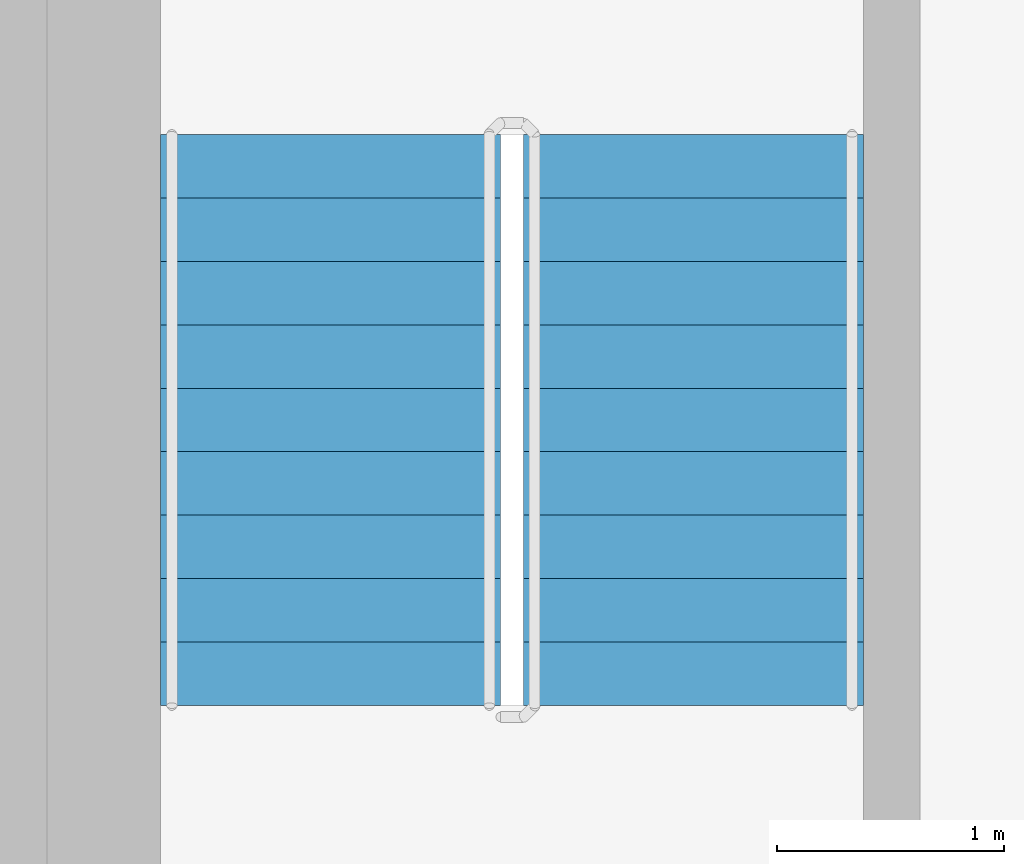
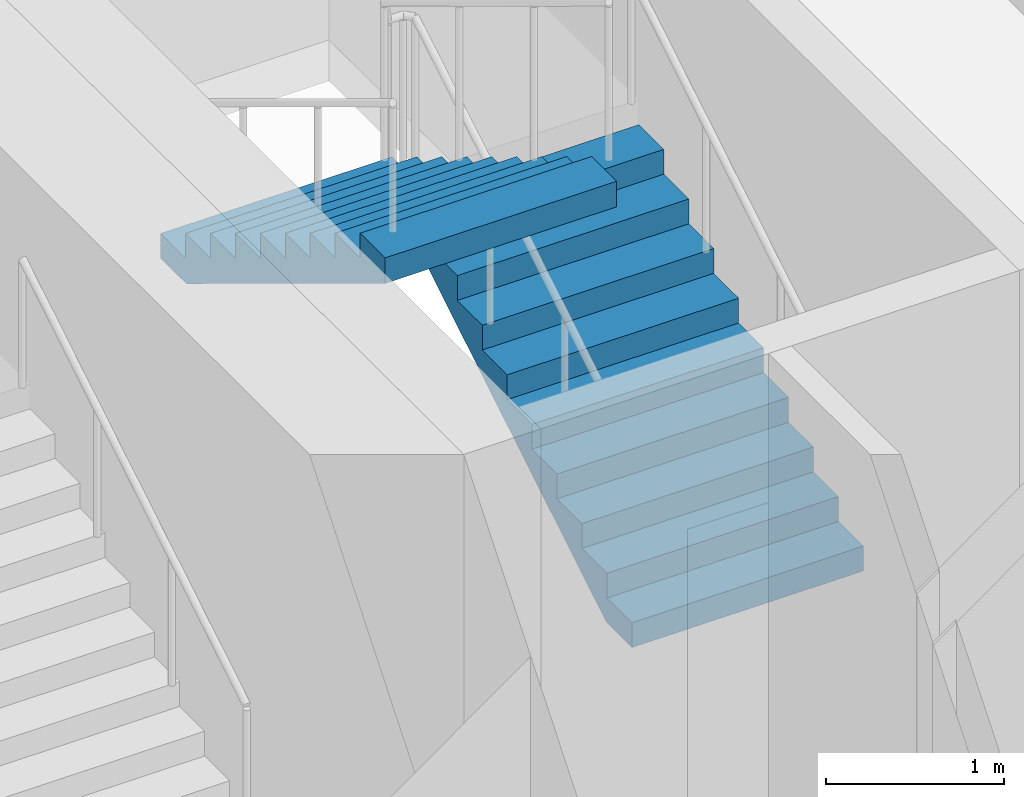
# One storey, part 13 of 21: 2 stair flights, 1 element without a shape of its own.
"""IFC4 building model written with IfcOpenShell, lengths in metres."""

from ifc_helpers import new_model, si_unit, direction, frame, origin, place, context, subcontext, project, spatial, triangles, source, transform, mapped, material, type_object, element, aggregate, save


model = new_model("IFC4")

# Units and contexts
model_context = context("Model", 3, precision=1e-05, world=origin(), true_north=direction((0.0, 1.0)))
body_context = subcontext(model_context, "Body", "Model", "MODEL_VIEW")
ifc_project = project(units=[si_unit("LENGTHUNIT", "METRE"), si_unit("AREAUNIT", "SQUARE_METRE"), si_unit("VOLUMEUNIT", "CUBIC_METRE"), si_unit("PLANEANGLEUNIT", "RADIAN"), si_unit("MASSUNIT", "GRAM", prefix="KILO")], contexts=[model_context])

# Site, building, storey
site_placement = place(None, origin())
site = spatial("IfcSite", under=ifc_project, at=site_placement, CompositionType="ELEMENT")
building_placement = place(site_placement, origin())
building = spatial("IfcBuilding", under=site, at=building_placement, Name="Kilnfold Tower and Market Hall", CompositionType="ELEMENT")
storey_placement = place(building_placement, frame((0.0, 0.0, 185.5)))
storey = spatial("IfcBuildingStorey", under=building, at=storey_placement, Name="L44", CompositionType="ELEMENT", Elevation=185.5)

# Stair, stair flights
ifc_material_1 = material(Name="Concrete C40/50", Category="concrete")
stair_type = type_object("IfcStairType", Name="CORE STAIR 1500", PredefinedType="HALF_TURN_STAIR", material=ifc_material_1)
stair_placement = place(storey_placement, origin())
stair = element("IfcStair", 1, at=stair_placement, inside=storey, type_object=stair_type, Name="L44 ST5", PredefinedType="HALF_TURN_STAIR")
ifc_material_2 = material(Name="Concrete C40/50", Category="concrete")
stair_flight_type = type_object("IfcStairFlightType", Name="CORE STAIR FLIGHT 1500", PredefinedType="STRAIGHT", material=ifc_material_2)
shared_shape = source(origin(), body_context, "Body", "Tessellation", [
    triangles([(0.0, 0.75, 0.0), (0.0, 0.65625, 0.0), (0.0, 0.5625, 0.0), (0.0, 0.46875, 0.0), (0.0, 0.375, 0.0), (0.0, 0.28125, 0.0), (0.0, 0.1875, 0.0), (0.0, 0.09375, 0.0), (0.0, 0.0, 0.0), (0.0, -0.09375, 0.0), (0.0, -0.1875, 0.0), (0.0, -0.28125, 0.0), (0.0, -0.375, 0.0), (0.0, -0.46875, 0.0), (0.0, -0.5625, 0.0), (0.0, -0.65625, 0.0), (0.0, -0.75, 0.0), (0.0, 0.75, 0.169921875), (0.0, 0.65625, 0.169921875), (0.0, 0.5625, 0.169921875), (0.0, 0.46875, 0.169921875), (0.0, 0.375, 0.169921875), (0.0, 0.28125, 0.169921875), (0.0, 0.1875, 0.169921875), (0.0, 0.09375, 0.169921875), (0.0, 0.0, 0.169921875), (0.0, -0.09375, 0.169921875), (0.0, -0.1875, 0.169921875), (0.0, -0.28125, 0.169921875), (0.0, -0.375, 0.169921875), (0.0, -0.46875, 0.169921875), (0.0, -0.5625, 0.169921875), (0.0, -0.65625, 0.169921875), (0.0, -0.75, 0.169921875), (0.280029296875, 0.75, 0.169921875), (0.280029296875, 0.65625, 0.169921875), (0.280029296875, 0.5625, 0.169921875), (0.280029296875, 0.46875, 0.169921875), (0.280029296875, 0.375, 0.169921875), (0.280029296875, 0.28125, 0.169921875), (0.280029296875, 0.1875, 0.169921875), (0.280029296875, 0.09375, 0.169921875), (0.280029296875, 0.0, 0.169921875), (0.280029296875, -0.09375, 0.169921875), (0.280029296875, -0.1875, 0.169921875), (0.280029296875, -0.28125, 0.169921875), (0.280029296875, -0.375, 0.169921875), (0.280029296875, -0.46875, 0.169921875), (0.280029296875, -0.5625, 0.169921875), (0.280029296875, -0.65625, 0.169921875), (0.280029296875, -0.75, 0.169921875), (0.280029296875, 0.75, 0.340087890625), (0.280029296875, 0.65625, 0.340087890625), (0.280029296875, 0.5625, 0.340087890625), (0.280029296875, 0.46875, 0.340087890625), (0.280029296875, 0.375, 0.340087890625), (0.280029296875, 0.28125, 0.340087890625), (0.280029296875, 0.1875, 0.340087890625), (0.280029296875, 0.09375, 0.340087890625), (0.280029296875, 0.0, 0.340087890625), (0.280029296875, -0.09375, 0.340087890625), (0.280029296875, -0.1875, 0.340087890625), (0.280029296875, -0.28125, 0.340087890625), (0.280029296875, -0.375, 0.340087890625), (0.280029296875, -0.46875, 0.340087890625), (0.280029296875, -0.5625, 0.340087890625), (0.280029296875, -0.65625, 0.340087890625), (0.280029296875, -0.75, 0.340087890625), (0.56005859375, 0.75, 0.340087890625), (0.56005859375, 0.65625, 0.340087890625), (0.56005859375, 0.5625, 0.340087890625), (0.56005859375, 0.46875, 0.340087890625), (0.56005859375, 0.375, 0.340087890625), (0.56005859375, 0.28125, 0.340087890625), (0.56005859375, 0.1875, 0.340087890625), (0.56005859375, 0.09375, 0.340087890625), (0.56005859375, 0.0, 0.340087890625), (0.56005859375, -0.09375, 0.340087890625), (0.56005859375, -0.1875, 0.340087890625), (0.56005859375, -0.28125, 0.340087890625), (0.56005859375, -0.375, 0.340087890625), (0.56005859375, -0.46875, 0.340087890625), (0.56005859375, -0.5625, 0.340087890625), (0.56005859375, -0.65625, 0.340087890625), (0.56005859375, -0.75, 0.340087890625), (0.56005859375, 0.75, 0.510009765625), (0.56005859375, 0.65625, 0.510009765625), (0.56005859375, 0.5625, 0.510009765625), (0.56005859375, 0.46875, 0.510009765625), (0.56005859375, 0.375, 0.510009765625), (0.56005859375, 0.28125, 0.510009765625), (0.56005859375, 0.1875, 0.510009765625), (0.56005859375, 0.09375, 0.510009765625), (0.56005859375, 0.0, 0.510009765625), (0.56005859375, -0.09375, 0.510009765625), (0.56005859375, -0.1875, 0.510009765625), (0.56005859375, -0.28125, 0.510009765625), (0.56005859375, -0.375, 0.510009765625), (0.56005859375, -0.46875, 0.510009765625), (0.56005859375, -0.5625, 0.510009765625), (0.56005859375, -0.65625, 0.510009765625), (0.56005859375, -0.75, 0.510009765625), (0.840087890625, 0.75, 0.510009765625), (0.840087890625, 0.65625, 0.510009765625), (0.840087890625, 0.5625, 0.510009765625), (0.840087890625, 0.46875, 0.510009765625), (0.840087890625, 0.375, 0.510009765625), (0.840087890625, 0.28125, 0.510009765625), (0.840087890625, 0.1875, 0.510009765625), (0.840087890625, 0.09375, 0.510009765625), (0.840087890625, 0.0, 0.510009765625), (0.840087890625, -0.09375, 0.510009765625), (0.840087890625, -0.1875, 0.510009765625), (0.840087890625, -0.28125, 0.510009765625), (0.840087890625, -0.375, 0.510009765625), (0.840087890625, -0.46875, 0.510009765625), (0.840087890625, -0.5625, 0.510009765625), (0.840087890625, -0.65625, 0.510009765625), (0.840087890625, -0.75, 0.510009765625), (0.840087890625, 0.75, 0.679931640625), (0.840087890625, 0.65625, 0.679931640625), (0.840087890625, 0.5625, 0.679931640625), (0.840087890625, 0.46875, 0.679931640625), (0.840087890625, 0.375, 0.679931640625), (0.840087890625, 0.28125, 0.679931640625), (0.840087890625, 0.1875, 0.679931640625), (0.840087890625, 0.09375, 0.679931640625), (0.840087890625, 0.0, 0.679931640625), (0.840087890625, -0.09375, 0.679931640625), (0.840087890625, -0.1875, 0.679931640625), (0.840087890625, -0.28125, 0.679931640625), (0.840087890625, -0.375, 0.679931640625), (0.840087890625, -0.46875, 0.679931640625), (0.840087890625, -0.5625, 0.679931640625), (0.840087890625, -0.65625, 0.679931640625), (0.840087890625, -0.75, 0.679931640625), (1.1201171875, 0.75, 0.679931640625), (1.1201171875, 0.65625, 0.679931640625), (1.1201171875, 0.5625, 0.679931640625), (1.1201171875, 0.46875, 0.679931640625), (1.1201171875, 0.375, 0.679931640625), (1.1201171875, 0.28125, 0.679931640625), (1.1201171875, 0.1875, 0.679931640625), (1.1201171875, 0.09375, 0.679931640625), (1.1201171875, 0.0, 0.679931640625), (1.1201171875, -0.09375, 0.679931640625), (1.1201171875, -0.1875, 0.679931640625), (1.1201171875, -0.28125, 0.679931640625), (1.1201171875, -0.375, 0.679931640625), (1.1201171875, -0.46875, 0.679931640625), (1.1201171875, -0.5625, 0.679931640625), (1.1201171875, -0.65625, 0.679931640625), (1.1201171875, -0.75, 0.679931640625), (1.1201171875, 0.75, 0.85009765625), (1.1201171875, 0.65625, 0.85009765625), (1.1201171875, 0.5625, 0.85009765625), (1.1201171875, 0.46875, 0.85009765625), (1.1201171875, 0.375, 0.85009765625), (1.1201171875, 0.28125, 0.85009765625), (1.1201171875, 0.1875, 0.85009765625), (1.1201171875, 0.09375, 0.85009765625), (1.1201171875, 0.0, 0.85009765625), (1.1201171875, -0.09375, 0.85009765625), (1.1201171875, -0.1875, 0.85009765625), (1.1201171875, -0.28125, 0.85009765625), (1.1201171875, -0.375, 0.85009765625), (1.1201171875, -0.46875, 0.85009765625), (1.1201171875, -0.5625, 0.85009765625), (1.1201171875, -0.65625, 0.85009765625), (1.1201171875, -0.75, 0.85009765625), (1.39990234375, 0.75, 0.85009765625), (1.39990234375, 0.65625, 0.85009765625), (1.39990234375, 0.5625, 0.85009765625), (1.39990234375, 0.46875, 0.85009765625), (1.39990234375, 0.375, 0.85009765625), (1.39990234375, 0.28125, 0.85009765625), (1.39990234375, 0.1875, 0.85009765625), (1.39990234375, 0.09375, 0.85009765625), (1.39990234375, 0.0, 0.85009765625), (1.39990234375, -0.09375, 0.85009765625), (1.39990234375, -0.1875, 0.85009765625), (1.39990234375, -0.28125, 0.85009765625), (1.39990234375, -0.375, 0.85009765625), (1.39990234375, -0.46875, 0.85009765625), (1.39990234375, -0.5625, 0.85009765625), (1.39990234375, -0.65625, 0.85009765625), (1.39990234375, -0.75, 0.85009765625), (1.39990234375, 0.75, 1.02001953125), (1.39990234375, 0.65625, 1.02001953125), (1.39990234375, 0.5625, 1.02001953125), (1.39990234375, 0.46875, 1.02001953125), (1.39990234375, 0.375, 1.02001953125), (1.39990234375, 0.28125, 1.02001953125), (1.39990234375, 0.1875, 1.02001953125), (1.39990234375, 0.09375, 1.02001953125), (1.39990234375, 0.0, 1.02001953125), (1.39990234375, -0.09375, 1.02001953125), (1.39990234375, -0.1875, 1.02001953125), (1.39990234375, -0.28125, 1.02001953125), (1.39990234375, -0.375, 1.02001953125), (1.39990234375, -0.46875, 1.02001953125), (1.39990234375, -0.5625, 1.02001953125), (1.39990234375, -0.65625, 1.02001953125), (1.39990234375, -0.75, 1.02001953125), (1.679931640625, 0.75, 1.02001953125), (1.679931640625, 0.65625, 1.02001953125), (1.679931640625, 0.5625, 1.02001953125), (1.679931640625, 0.46875, 1.02001953125), (1.679931640625, 0.375, 1.02001953125), (1.679931640625, 0.28125, 1.02001953125), (1.679931640625, 0.1875, 1.02001953125), (1.679931640625, 0.09375, 1.02001953125), (1.679931640625, 0.0, 1.02001953125), (1.679931640625, -0.09375, 1.02001953125), (1.679931640625, -0.1875, 1.02001953125), (1.679931640625, -0.28125, 1.02001953125), (1.679931640625, -0.375, 1.02001953125), (1.679931640625, -0.46875, 1.02001953125), (1.679931640625, -0.5625, 1.02001953125), (1.679931640625, -0.65625, 1.02001953125), (1.679931640625, -0.75, 1.02001953125), (1.679931640625, 0.75, 1.18994140625), (1.679931640625, 0.65625, 1.18994140625), (1.679931640625, 0.5625, 1.18994140625), (1.679931640625, 0.46875, 1.18994140625), (1.679931640625, 0.375, 1.18994140625), (1.679931640625, 0.28125, 1.18994140625), (1.679931640625, 0.1875, 1.18994140625), (1.679931640625, 0.09375, 1.18994140625), (1.679931640625, 0.0, 1.18994140625), (1.679931640625, -0.09375, 1.18994140625), (1.679931640625, -0.1875, 1.18994140625), (1.679931640625, -0.28125, 1.18994140625), (1.679931640625, -0.375, 1.18994140625), (1.679931640625, -0.46875, 1.18994140625), (1.679931640625, -0.5625, 1.18994140625), (1.679931640625, -0.65625, 1.18994140625), (1.679931640625, -0.75, 1.18994140625), (1.9599609375, 0.75, 1.18994140625), (1.9599609375, 0.65625, 1.18994140625), (1.9599609375, 0.5625, 1.18994140625), (1.9599609375, 0.46875, 1.18994140625), (1.9599609375, 0.375, 1.18994140625), (1.9599609375, 0.28125, 1.18994140625), (1.9599609375, 0.1875, 1.18994140625), (1.9599609375, 0.09375, 1.18994140625), (1.9599609375, 0.0, 1.18994140625), (1.9599609375, -0.09375, 1.18994140625), (1.9599609375, -0.1875, 1.18994140625), (1.9599609375, -0.28125, 1.18994140625), (1.9599609375, -0.375, 1.18994140625), (1.9599609375, -0.46875, 1.18994140625), (1.9599609375, -0.5625, 1.18994140625), (1.9599609375, -0.65625, 1.18994140625), (1.9599609375, -0.75, 1.18994140625), (1.9599609375, 0.75, 1.360107421875), (1.9599609375, 0.65625, 1.360107421875), (1.9599609375, 0.5625, 1.360107421875), (1.9599609375, 0.46875, 1.360107421875), (1.9599609375, 0.375, 1.360107421875), (1.9599609375, 0.28125, 1.360107421875), (1.9599609375, 0.1875, 1.360107421875), (1.9599609375, 0.09375, 1.360107421875), (1.9599609375, 0.0, 1.360107421875), (1.9599609375, -0.09375, 1.360107421875), (1.9599609375, -0.1875, 1.360107421875), (1.9599609375, -0.28125, 1.360107421875), (1.9599609375, -0.375, 1.360107421875), (1.9599609375, -0.46875, 1.360107421875), (1.9599609375, -0.5625, 1.360107421875), (1.9599609375, -0.65625, 1.360107421875), (1.9599609375, -0.75, 1.360107421875), (2.239990234375, 0.75, 1.360107421875), (2.239990234375, 0.65625, 1.360107421875), (2.239990234375, 0.5625, 1.360107421875), (2.239990234375, 0.46875, 1.360107421875), (2.239990234375, 0.375, 1.360107421875), (2.239990234375, 0.28125, 1.360107421875), (2.239990234375, 0.1875, 1.360107421875), (2.239990234375, 0.09375, 1.360107421875), (2.239990234375, 0.0, 1.360107421875), (2.239990234375, -0.09375, 1.360107421875), (2.239990234375, -0.1875, 1.360107421875), (2.239990234375, -0.28125, 1.360107421875), (2.239990234375, -0.375, 1.360107421875), (2.239990234375, -0.46875, 1.360107421875), (2.239990234375, -0.5625, 1.360107421875), (2.239990234375, -0.65625, 1.360107421875), (2.239990234375, -0.75, 1.360107421875), (2.239990234375, 0.75, 1.530029296875), (2.239990234375, 0.65625, 1.530029296875), (2.239990234375, 0.5625, 1.530029296875), (2.239990234375, 0.46875, 1.530029296875), (2.239990234375, 0.375, 1.530029296875), (2.239990234375, 0.28125, 1.530029296875), (2.239990234375, 0.1875, 1.530029296875), (2.239990234375, 0.09375, 1.530029296875), (2.239990234375, 0.0, 1.530029296875), (2.239990234375, -0.09375, 1.530029296875), (2.239990234375, -0.1875, 1.530029296875), (2.239990234375, -0.28125, 1.530029296875), (2.239990234375, -0.375, 1.530029296875), (2.239990234375, -0.46875, 1.530029296875), (2.239990234375, -0.5625, 1.530029296875), (2.239990234375, -0.65625, 1.530029296875), (2.239990234375, -0.75, 1.530029296875), (2.52001953125, 0.75, 1.530029296875), (2.52001953125, 0.65625, 1.530029296875), (2.52001953125, 0.5625, 1.530029296875), (2.52001953125, 0.46875, 1.530029296875), (2.52001953125, 0.375, 1.530029296875), (2.52001953125, 0.28125, 1.530029296875), (2.52001953125, 0.1875, 1.530029296875), (2.52001953125, 0.09375, 1.530029296875), (2.52001953125, 0.0, 1.530029296875), (2.52001953125, -0.09375, 1.530029296875), (2.52001953125, -0.1875, 1.530029296875), (2.52001953125, -0.28125, 1.530029296875), (2.52001953125, -0.375, 1.530029296875), (2.52001953125, -0.46875, 1.530029296875), (2.52001953125, -0.5625, 1.530029296875), (2.52001953125, -0.65625, 1.530029296875), (2.52001953125, -0.75, 1.530029296875), (2.52001953125, 0.75, 1.354736328125), (2.52001953125, 0.65625, 1.354736328125), (2.52001953125, 0.5625, 1.354736328125), (2.52001953125, 0.46875, 1.354736328125), (2.52001953125, 0.375, 1.354736328125), (2.52001953125, 0.28125, 1.354736328125), (2.52001953125, 0.1875, 1.354736328125), (2.52001953125, 0.09375, 1.354736328125), (2.52001953125, 0.0, 1.354736328125), (2.52001953125, -0.09375, 1.354736328125), (2.52001953125, -0.1875, 1.354736328125), (2.52001953125, -0.28125, 1.354736328125), (2.52001953125, -0.375, 1.354736328125), (2.52001953125, -0.46875, 1.354736328125), (2.52001953125, -0.5625, 1.354736328125), (2.52001953125, -0.65625, 1.354736328125), (2.52001953125, -0.75, 1.354736328125), (0.288818359375, 0.75, 0.0), (0.288818359375, 0.65625, 0.0), (0.288818359375, 0.5625, 0.0), (0.288818359375, 0.46875, 0.0), (0.288818359375, 0.375, 0.0), (0.288818359375, 0.28125, 0.0), (0.288818359375, 0.1875, 0.0), (0.288818359375, 0.09375, 0.0), (0.288818359375, 0.0, 0.0), (0.288818359375, -0.09375, 0.0), (0.288818359375, -0.1875, 0.0), (0.288818359375, -0.28125, 0.0), (0.288818359375, -0.375, 0.0), (0.288818359375, -0.46875, 0.0), (0.288818359375, -0.5625, 0.0), (0.288818359375, -0.65625, 0.0), (0.288818359375, -0.75, 0.0)], [[1, 324, 341], [17, 357, 340], [324, 290, 307], [340, 323, 306], [324, 273, 290], [340, 306, 289], [324, 256, 273], [340, 289, 272], [324, 239, 256], [340, 272, 255], [239, 205, 222], [255, 238, 221], [324, 205, 239], [340, 255, 221], [205, 171, 188], [221, 204, 187], [324, 171, 205], [340, 221, 187], [171, 137, 154], [187, 170, 153], [324, 137, 171], [340, 187, 153], [137, 103, 120], [153, 136, 119], [324, 103, 137], [340, 153, 119], [103, 69, 86], [119, 102, 85], [324, 69, 103], [340, 119, 85], [69, 35, 52], [85, 68, 51], [324, 35, 69], [340, 85, 51], [1, 35, 324], [17, 340, 51], [35, 1, 18], [51, 34, 17], [1, 19, 18], [1, 2, 19], [2, 20, 19], [2, 3, 20], [3, 21, 20], [3, 4, 21], [4, 22, 21], [4, 5, 22], [5, 23, 22], [5, 6, 23], [6, 24, 23], [6, 7, 24], [7, 25, 24], [7, 8, 25], [8, 26, 25], [8, 9, 26], [9, 27, 26], [9, 10, 27], [10, 28, 27], [10, 11, 28], [11, 29, 28], [11, 12, 29], [12, 30, 29], [12, 13, 30], [13, 31, 30], [13, 14, 31], [14, 32, 31], [14, 15, 32], [15, 33, 32], [15, 16, 33], [16, 34, 33], [16, 17, 34], [18, 36, 35], [18, 19, 36], [19, 37, 36], [19, 20, 37], [20, 38, 37], [20, 21, 38], [21, 39, 38], [21, 22, 39], [22, 40, 39], [22, 23, 40], [23, 41, 40], [23, 24, 41], [24, 42, 41], [24, 25, 42], [25, 43, 42], [25, 26, 43], [26, 44, 43], [26, 27, 44], [27, 45, 44], [27, 28, 45], [28, 46, 45], [28, 29, 46], [29, 47, 46], [29, 30, 47], [30, 48, 47], [30, 31, 48], [31, 49, 48], [31, 32, 49], [32, 50, 49], [32, 33, 50], [33, 51, 50], [33, 34, 51], [35, 53, 52], [35, 36, 53], [36, 54, 53], [36, 37, 54], [37, 55, 54], [37, 38, 55], [38, 56, 55], [38, 39, 56], [39, 57, 56], [39, 40, 57], [40, 58, 57], [40, 41, 58], [41, 59, 58], [41, 42, 59], [42, 60, 59], [42, 43, 60], [43, 61, 60], [43, 44, 61], [44, 62, 61], [44, 45, 62], [45, 63, 62], [45, 46, 63], [46, 64, 63], [46, 47, 64], [47, 65, 64], [47, 48, 65], [48, 66, 65], [48, 49, 66], [49, 67, 66], [49, 50, 67], [50, 68, 67], [50, 51, 68], [52, 70, 69], [52, 53, 70], [53, 71, 70], [53, 54, 71], [54, 72, 71], [54, 55, 72], [55, 73, 72], [55, 56, 73], [56, 74, 73], [56, 57, 74], [57, 75, 74], [57, 58, 75], [58, 76, 75], [58, 59, 76], [59, 77, 76], [59, 60, 77], [60, 78, 77], [60, 61, 78], [61, 79, 78], [61, 62, 79], [62, 80, 79], [62, 63, 80], [63, 81, 80], [63, 64, 81], [64, 82, 81], [64, 65, 82], [65, 83, 82], [65, 66, 83], [66, 84, 83], [66, 67, 84], [67, 85, 84], [67, 68, 85], [69, 87, 86], [69, 70, 87], [70, 88, 87], [70, 71, 88], [71, 89, 88], [71, 72, 89], [72, 90, 89], [72, 73, 90], [73, 91, 90], [73, 74, 91], [74, 92, 91], [74, 75, 92], [75, 93, 92], [75, 76, 93], [76, 94, 93], [76, 77, 94], [77, 95, 94], [77, 78, 95], [78, 96, 95], [78, 79, 96], [79, 97, 96], [79, 80, 97], [80, 98, 97], [80, 81, 98], [81, 99, 98], [81, 82, 99], [82, 100, 99], [82, 83, 100], [83, 101, 100], [83, 84, 101], [84, 102, 101], [84, 85, 102], [86, 104, 103], [86, 87, 104], [87, 105, 104], [87, 88, 105], [88, 106, 105], [88, 89, 106], [89, 107, 106], [89, 90, 107], [90, 108, 107], [90, 91, 108], [91, 109, 108], [91, 92, 109], [92, 110, 109], [92, 93, 110], [93, 111, 110], [93, 94, 111], [94, 112, 111], [94, 95, 112], [95, 113, 112], [95, 96, 113], [96, 114, 113], [96, 97, 114], [97, 115, 114], [97, 98, 115], [98, 116, 115], [98, 99, 116], [99, 117, 116], [99, 100, 117], [100, 118, 117], [100, 101, 118], [101, 119, 118], [101, 102, 119], [103, 121, 120], [103, 104, 121], [104, 122, 121], [104, 105, 122], [105, 123, 122], [105, 106, 123], [106, 124, 123], [106, 107, 124], [107, 125, 124], [107, 108, 125], [108, 126, 125], [108, 109, 126], [109, 127, 126], [109, 110, 127], [110, 128, 127], [110, 111, 128], [111, 129, 128], [111, 112, 129], [112, 130, 129], [112, 113, 130], [113, 131, 130], [113, 114, 131], [114, 132, 131], [114, 115, 132], [115, 133, 132], [115, 116, 133], [116, 134, 133], [116, 117, 134], [117, 135, 134], [117, 118, 135], [118, 136, 135], [118, 119, 136], [120, 138, 137], [120, 121, 138], [121, 139, 138], [121, 122, 139], [122, 140, 139], [122, 123, 140], [123, 141, 140], [123, 124, 141], [124, 142, 141], [124, 125, 142], [125, 143, 142], [125, 126, 143], [126, 144, 143], [126, 127, 144], [127, 145, 144], [127, 128, 145], [128, 146, 145], [128, 129, 146], [129, 147, 146], [129, 130, 147], [130, 148, 147], [130, 131, 148], [131, 149, 148], [131, 132, 149], [132, 150, 149], [132, 133, 150], [133, 151, 150], [133, 134, 151], [134, 152, 151], [134, 135, 152], [135, 153, 152], [135, 136, 153], [137, 155, 154], [137, 138, 155], [138, 156, 155], [138, 139, 156], [139, 157, 156], [139, 140, 157], [140, 158, 157], [140, 141, 158], [141, 159, 158], [141, 142, 159], [142, 160, 159], [142, 143, 160], [143, 161, 160], [143, 144, 161], [144, 162, 161], [144, 145, 162], [145, 163, 162], [145, 146, 163], [146, 164, 163], [146, 147, 164], [147, 165, 164], [147, 148, 165], [148, 166, 165], [148, 149, 166], [149, 167, 166], [149, 150, 167], [150, 168, 167], [150, 151, 168], [151, 169, 168], [151, 152, 169], [152, 170, 169], [152, 153, 170], [154, 172, 171], [154, 155, 172], [155, 173, 172], [155, 156, 173], [156, 174, 173], [156, 157, 174], [157, 175, 174], [157, 158, 175], [158, 176, 175], [158, 159, 176], [159, 177, 176], [159, 160, 177], [160, 178, 177], [160, 161, 178], [161, 179, 178], [161, 162, 179], [162, 180, 179], [162, 163, 180], [163, 181, 180], [163, 164, 181], [164, 182, 181], [164, 165, 182], [165, 183, 182], [165, 166, 183], [166, 184, 183], [166, 167, 184], [167, 185, 184], [167, 168, 185], [168, 186, 185], [168, 169, 186], [169, 187, 186], [169, 170, 187], [171, 189, 188], [171, 172, 189], [172, 190, 189], [172, 173, 190], [173, 191, 190], [173, 174, 191], [174, 192, 191], [174, 175, 192], [175, 193, 192], [175, 176, 193], [176, 194, 193], [176, 177, 194], [177, 195, 194], [177, 178, 195], [178, 196, 195], [178, 179, 196], [179, 197, 196], [179, 180, 197], [180, 198, 197], [180, 181, 198], [181, 199, 198], [181, 182, 199], [182, 200, 199], [182, 183, 200], [183, 201, 200], [183, 184, 201], [184, 202, 201], [184, 185, 202], [185, 203, 202], [185, 186, 203], [186, 204, 203], [186, 187, 204], [188, 206, 205], [188, 189, 206], [189, 207, 206], [189, 190, 207], [190, 208, 207], [190, 191, 208], [191, 209, 208], [191, 192, 209], [192, 210, 209], [192, 193, 210], [193, 211, 210], [193, 194, 211], [194, 212, 211], [194, 195, 212], [195, 213, 212], [195, 196, 213], [196, 214, 213], [196, 197, 214], [197, 215, 214], [197, 198, 215], [198, 216, 215], [198, 199, 216], [199, 217, 216], [199, 200, 217], [200, 218, 217], [200, 201, 218], [201, 219, 218], [201, 202, 219], [202, 220, 219], [202, 203, 220], [203, 221, 220], [203, 204, 221], [205, 223, 222], [205, 206, 223], [206, 224, 223], [206, 207, 224], [207, 225, 224], [207, 208, 225], [208, 226, 225], [208, 209, 226], [209, 227, 226], [209, 210, 227], [210, 228, 227], [210, 211, 228], [211, 229, 228], [211, 212, 229], [212, 230, 229], [212, 213, 230], [213, 231, 230], [213, 214, 231], [214, 232, 231], [214, 215, 232], [215, 233, 232], [215, 216, 233], [216, 234, 233], [216, 217, 234], [217, 235, 234], [217, 218, 235], [218, 236, 235], [218, 219, 236], [219, 237, 236], [219, 220, 237], [220, 238, 237], [220, 221, 238], [222, 240, 239], [222, 223, 240], [223, 241, 240], [223, 224, 241], [224, 242, 241], [224, 225, 242], [225, 243, 242], [225, 226, 243], [226, 244, 243], [226, 227, 244], [227, 245, 244], [227, 228, 245], [228, 246, 245], [228, 229, 246], [229, 247, 246], [229, 230, 247], [230, 248, 247], [230, 231, 248], [231, 249, 248], [231, 232, 249], [232, 250, 249], [232, 233, 250], [233, 251, 250], [233, 234, 251], [234, 252, 251], [234, 235, 252], [235, 253, 252], [235, 236, 253], [236, 254, 253], [236, 237, 254], [237, 255, 254], [237, 238, 255], [239, 257, 256], [239, 240, 257], [240, 258, 257], [240, 241, 258], [241, 259, 258], [241, 242, 259], [242, 260, 259], [242, 243, 260], [243, 261, 260], [243, 244, 261], [244, 262, 261], [244, 245, 262], [245, 263, 262], [245, 246, 263], [246, 264, 263], [246, 247, 264], [247, 265, 264], [247, 248, 265], [248, 266, 265], [248, 249, 266], [249, 267, 266], [249, 250, 267], [250, 268, 267], [250, 251, 268], [251, 269, 268], [251, 252, 269], [252, 270, 269], [252, 253, 270], [253, 271, 270], [253, 254, 271], [254, 272, 271], [254, 255, 272], [256, 274, 273], [256, 257, 274], [257, 275, 274], [257, 258, 275], [258, 276, 275], [258, 259, 276], [259, 277, 276], [259, 260, 277], [260, 278, 277], [260, 261, 278], [261, 279, 278], [261, 262, 279], [262, 280, 279], [262, 263, 280], [263, 281, 280], [263, 264, 281], [264, 282, 281], [264, 265, 282], [265, 283, 282], [265, 266, 283], [266, 284, 283], [266, 267, 284], [267, 285, 284], [267, 268, 285], [268, 286, 285], [268, 269, 286], [269, 287, 286], [269, 270, 287], [270, 288, 287], [270, 271, 288], [271, 289, 288], [271, 272, 289], [273, 291, 290], [273, 274, 291], [274, 292, 291], [274, 275, 292], [275, 293, 292], [275, 276, 293], [276, 294, 293], [276, 277, 294], [277, 295, 294], [277, 278, 295], [278, 296, 295], [278, 279, 296], [279, 297, 296], [279, 280, 297], [280, 298, 297], [280, 281, 298], [281, 299, 298], [281, 282, 299], [282, 300, 299], [282, 283, 300], [283, 301, 300], [283, 284, 301], [284, 302, 301], [284, 285, 302], [285, 303, 302], [285, 286, 303], [286, 304, 303], [286, 287, 304], [287, 305, 304], [287, 288, 305], [288, 306, 305], [288, 289, 306], [290, 308, 307], [290, 291, 308], [291, 309, 308], [291, 292, 309], [292, 310, 309], [292, 293, 310], [293, 311, 310], [293, 294, 311], [294, 312, 311], [294, 295, 312], [295, 313, 312], [295, 296, 313], [296, 314, 313], [296, 297, 314], [297, 315, 314], [297, 298, 315], [298, 316, 315], [298, 299, 316], [299, 317, 316], [299, 300, 317], [300, 318, 317], [300, 301, 318], [301, 319, 318], [301, 302, 319], [302, 320, 319], [302, 303, 320], [303, 321, 320], [303, 304, 321], [304, 322, 321], [304, 305, 322], [305, 323, 322], [305, 306, 323], [307, 325, 324], [307, 308, 325], [308, 326, 325], [308, 309, 326], [309, 327, 326], [309, 310, 327], [310, 328, 327], [310, 311, 328], [311, 329, 328], [311, 312, 329], [312, 330, 329], [312, 313, 330], [313, 331, 330], [313, 314, 331], [314, 332, 331], [314, 315, 332], [315, 333, 332], [315, 316, 333], [316, 334, 333], [316, 317, 334], [317, 335, 334], [317, 318, 335], [318, 336, 335], [318, 319, 336], [319, 337, 336], [319, 320, 337], [320, 338, 337], [320, 321, 338], [321, 339, 338], [321, 322, 339], [322, 340, 339], [322, 323, 340], [324, 342, 341], [324, 325, 342], [325, 343, 342], [325, 326, 343], [326, 344, 343], [326, 327, 344], [327, 345, 344], [327, 328, 345], [328, 346, 345], [328, 329, 346], [329, 347, 346], [329, 330, 347], [330, 348, 347], [330, 331, 348], [331, 349, 348], [331, 332, 349], [332, 350, 349], [332, 333, 350], [333, 351, 350], [333, 334, 351], [334, 352, 351], [334, 335, 352], [335, 353, 352], [335, 336, 353], [336, 354, 353], [336, 337, 354], [337, 355, 354], [337, 338, 355], [338, 356, 355], [338, 339, 356], [339, 357, 356], [339, 340, 357], [341, 2, 1], [341, 342, 2], [342, 3, 2], [342, 343, 3], [343, 4, 3], [343, 344, 4], [344, 5, 4], [344, 345, 5], [345, 6, 5], [345, 346, 6], [346, 7, 6], [346, 347, 7], [347, 8, 7], [347, 348, 8], [348, 9, 8], [348, 349, 9], [349, 10, 9], [349, 350, 10], [350, 11, 10], [350, 351, 11], [351, 12, 11], [351, 352, 12], [352, 13, 12], [352, 353, 13], [353, 14, 13], [353, 354, 14], [354, 15, 14], [354, 355, 15], [355, 16, 15], [355, 356, 16], [356, 17, 16], [356, 357, 17]], closed=True),
])
stair_flight_1_placement = place(storey_placement, frame((20.699951171875, 11.5, 0.0), z_axis=(0.0, 0.0, 1.0), x_axis=(0.0, 1.0, 0.0)))
stair_flight_1 = element("IfcStairFlight", 2, at=stair_flight_1_placement, type_object=stair_flight_type, Name="ST5 flight 1", NumberOfRisers=10, NumberOfTreads=9, PredefinedType="STRAIGHT", RiserHeight=0.17, TreadLength=0.28, context=body_context, shape_type="MappedRepresentation", body=[
    mapped(shared_shape, transform((0.0, 0.0, 0.0))),
])
stair_flight_2_placement = place(storey_placement, frame((19.10009765625, 14.02001953125, 1.699951171875), z_axis=(0.0, 0.0, 1.0), x_axis=(0.0, -1.0, 0.0)))
stair_flight_2 = element("IfcStairFlight", 3, at=stair_flight_2_placement, type_object=stair_flight_type, Name="ST5 flight 2", NumberOfRisers=10, NumberOfTreads=9, PredefinedType="STRAIGHT", RiserHeight=0.17, TreadLength=0.28, context=body_context, shape_type="MappedRepresentation", body=[
    mapped(shared_shape, transform((0.0, 0.0, 0.0))),
])
aggregate(stair, [stair_flight_1, stair_flight_2])

save(model, "model.ifc")
